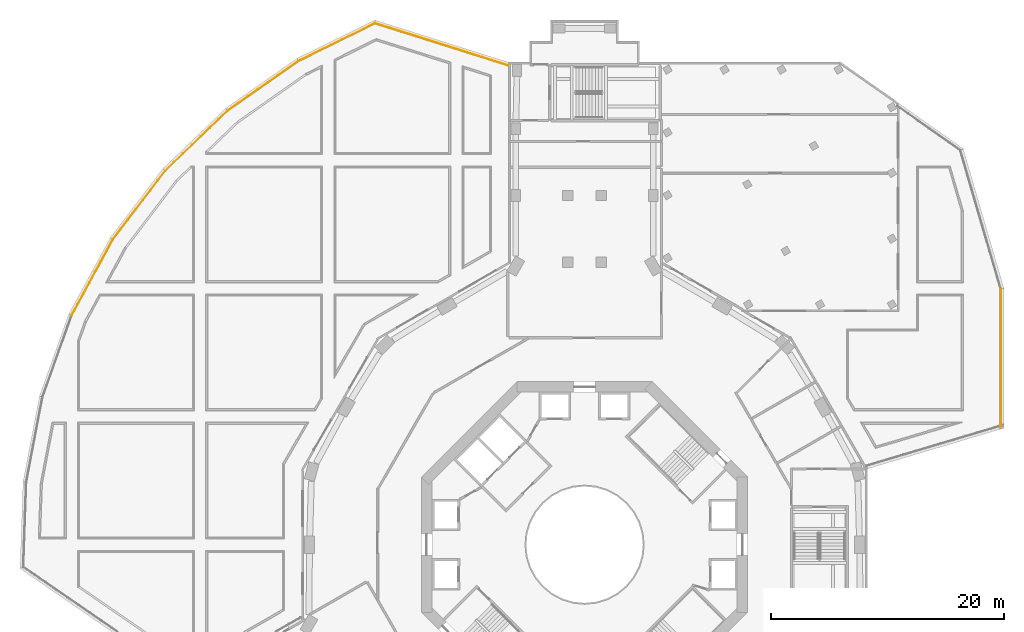
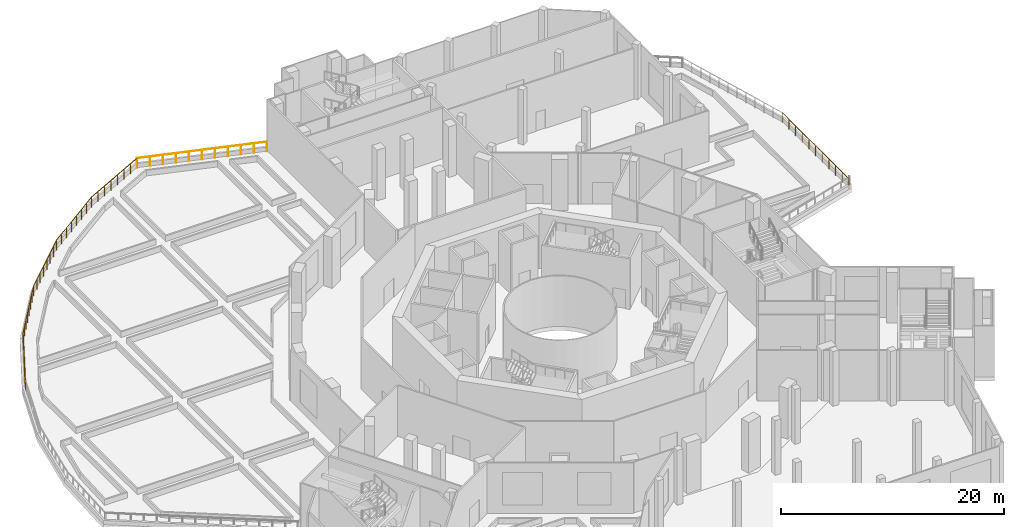
# One storey, part 27 of 29: 7 railings.
"""IFC4 building model written with IfcOpenShell, lengths in metres."""

from ifc_helpers import new_model, si_unit, direction, frame, origin, origin_2d, place, context, subcontext, project, spatial, circle, extrude, material, type_object, element, save


model = new_model("IFC4")

# Units and contexts
model_context = context("Model", 3, precision=1e-05, world=origin(), true_north=direction((0.0, 1.0)))
body_context = subcontext(model_context, "Body", "Model", "MODEL_VIEW")
ifc_project = project(units=[si_unit("LENGTHUNIT", "METRE"), si_unit("AREAUNIT", "SQUARE_METRE"), si_unit("VOLUMEUNIT", "CUBIC_METRE"), si_unit("PLANEANGLEUNIT", "RADIAN"), si_unit("MASSUNIT", "GRAM", prefix="KILO")], contexts=[model_context])

# Site, building, storey
site_placement = place(None, origin())
site = spatial("IfcSite", under=ifc_project, at=site_placement, CompositionType="ELEMENT")
building_placement = place(site_placement, origin())
building = spatial("IfcBuilding", under=site, at=building_placement, Name="Verdalira Terraces Hotel", CompositionType="ELEMENT")
storey_placement = place(building_placement, frame((0.0, 0.0, 8.0)))
storey = spatial("IfcBuildingStorey", under=building, at=storey_placement, Name="L01", CompositionType="ELEMENT", Elevation=8.0)

# Railings
ifc_material = material(Name="Clear laminated glass", Category="glass")
railing_type = type_object("IfcRailingType", Name="Terrace glass guard 1120", PredefinedType="GUARDRAIL", material=ifc_material)
railing_1_placement = place(storey_placement, frame((-6.584473, 41.133057, 0.0)))
element("IfcRailing", 1, at=railing_1_placement, inside=storey, type_object=railing_type, Name="Terrace guard", PredefinedType="GUARDRAIL", context=body_context, shape_type="SweptSolid", body=[
    extrude(circle(Radius=0.023926, at=origin_2d()), frame((0.0, 0.0, 1.096191), z_axis=(-0.95352275, 0.301321034, 0.0), x_axis=(-0.301321034, -0.95352275, 0.0)), (0.0, 0.0, 1.0), 11.950928),
    extrude(circle(Radius=0.020996, at=origin_2d()), origin(), (0.0, 0.0, 1.0), 1.072021),
    extrude(circle(Radius=0.020996, at=origin_2d()), frame((-1.139648, 0.360107, 0.0)), (0.0, 0.0, 1.0), 1.072021),
    extrude(circle(Radius=0.020996, at=origin_2d()), frame((-2.279053, 0.720215, 0.0)), (0.0, 0.0, 1.0), 1.072021),
    extrude(circle(Radius=0.020996, at=origin_2d()), frame((-3.418701, 1.080322, 0.0)), (0.0, 0.0, 1.0), 1.072021),
    extrude(circle(Radius=0.020996, at=origin_2d()), frame((-4.558105, 1.44043, 0.0)), (0.0, 0.0, 1.0), 1.072021),
    extrude(circle(Radius=0.020996, at=origin_2d()), frame((-5.697754, 1.800537, 0.0)), (0.0, 0.0, 1.0), 1.072021),
    extrude(circle(Radius=0.020996, at=origin_2d()), frame((-6.837402, 2.160645, 0.0)), (0.0, 0.0, 1.0), 1.072021),
    extrude(circle(Radius=0.020996, at=origin_2d()), frame((-7.976807, 2.520752, 0.0)), (0.0, 0.0, 1.0), 1.072021),
    extrude(circle(Radius=0.020996, at=origin_2d()), frame((-9.116455, 2.880859, 0.0)), (0.0, 0.0, 1.0), 1.072021),
    extrude(circle(Radius=0.020996, at=origin_2d()), frame((-10.255859, 3.240967, 0.0)), (0.0, 0.0, 1.0), 1.072021),
    extrude(circle(Radius=0.020996, at=origin_2d()), frame((-11.395508, 3.601074, 0.0)), (0.0, 0.0, 1.0), 1.072021),
])
railing_2_placement = place(storey_placement, frame((-17.97998, 44.734131, 0.0)))
element("IfcRailing", 2, at=railing_2_placement, inside=storey, type_object=railing_type, Name="Terrace guard", PredefinedType="GUARDRAIL", context=body_context, shape_type="SweptSolid", body=[
    extrude(circle(Radius=0.023926, at=origin_2d()), frame((0.0, 0.0, 1.096191), z_axis=(-0.897226494, -0.441570627, 0.0), x_axis=(0.441570627, -0.897226494, 0.0)), (0.0, 0.0, 1.0), 7.331787),
    extrude(circle(Radius=0.020996, at=origin_2d()), origin(), (0.0, 0.0, 1.0), 1.072021),
    extrude(circle(Radius=0.020996, at=origin_2d()), frame((-0.939697, -0.462402, 0.0)), (0.0, 0.0, 1.0), 1.072021),
    extrude(circle(Radius=0.020996, at=origin_2d()), frame((-1.879639, -0.925049, 0.0)), (0.0, 0.0, 1.0), 1.072021),
    extrude(circle(Radius=0.020996, at=origin_2d()), frame((-2.819336, -1.387451, 0.0)), (0.0, 0.0, 1.0), 1.072021),
    extrude(circle(Radius=0.020996, at=origin_2d()), frame((-3.759033, -1.850098, 0.0)), (0.0, 0.0, 1.0), 1.072021),
    extrude(circle(Radius=0.020996, at=origin_2d()), frame((-4.69873, -2.3125, 0.0)), (0.0, 0.0, 1.0), 1.072021),
    extrude(circle(Radius=0.020996, at=origin_2d()), frame((-5.638672, -2.775146, 0.0)), (0.0, 0.0, 1.0), 1.072021),
    extrude(circle(Radius=0.020996, at=origin_2d()), frame((-6.578369, -3.237549, 0.0)), (0.0, 0.0, 1.0), 1.072021),
])
railing_3_placement = place(storey_placement, frame((-24.55835, 41.496582, 0.0)))
element("IfcRailing", 3, at=railing_3_placement, inside=storey, type_object=railing_type, Name="Terrace guard", PredefinedType="GUARDRAIL", context=body_context, shape_type="SweptSolid", body=[
    extrude(circle(Radius=0.023926, at=origin_2d()), frame((0.0, 0.0, 1.096191), z_axis=(-0.81883769, -0.57402512, 0.0), x_axis=(0.57402512, -0.81883769, 0.0)), (0.0, 0.0, 1.0), 7.422607),
    extrude(circle(Radius=0.020996, at=origin_2d()), origin(), (0.0, 0.0, 1.0), 1.072021),
    extrude(circle(Radius=0.020996, at=origin_2d()), frame((-0.868164, -0.608643, 0.0)), (0.0, 0.0, 1.0), 1.072021),
    extrude(circle(Radius=0.020996, at=origin_2d()), frame((-1.736572, -1.217285, 0.0)), (0.0, 0.0, 1.0), 1.072021),
    extrude(circle(Radius=0.020996, at=origin_2d()), frame((-2.604736, -1.825928, 0.0)), (0.0, 0.0, 1.0), 1.072021),
    extrude(circle(Radius=0.020996, at=origin_2d()), frame((-3.473145, -2.434814, 0.0)), (0.0, 0.0, 1.0), 1.072021),
    extrude(circle(Radius=0.020996, at=origin_2d()), frame((-4.341309, -3.043457, 0.0)), (0.0, 0.0, 1.0), 1.072021),
    extrude(circle(Radius=0.020996, at=origin_2d()), frame((-5.209717, -3.6521, 0.0)), (0.0, 0.0, 1.0), 1.072021),
    extrude(circle(Radius=0.020996, at=origin_2d()), frame((-6.077881, -4.260742, 0.0)), (0.0, 0.0, 1.0), 1.072021),
])
railing_4_placement = place(storey_placement, frame((-30.63623, 37.23584, 0.0)))
element("IfcRailing", 4, at=railing_4_placement, inside=storey, type_object=railing_type, Name="Terrace guard", PredefinedType="GUARDRAIL", context=body_context, shape_type="SweptSolid", body=[
    extrude(circle(Radius=0.023926, at=origin_2d()), frame((0.0, 0.0, 1.096191), z_axis=(-0.721028341, -0.692905572, 0.0), x_axis=(0.692905572, -0.721028341, 0.0)), (0.0, 0.0, 1.0), 7.422363),
    extrude(circle(Radius=0.020996, at=origin_2d()), origin(), (0.0, 0.0, 1.0), 1.072021),
    extrude(circle(Radius=0.020996, at=origin_2d()), frame((-0.764648, -0.734619, 0.0)), (0.0, 0.0, 1.0), 1.072021),
    extrude(circle(Radius=0.020996, at=origin_2d()), frame((-1.529053, -1.469482, 0.0)), (0.0, 0.0, 1.0), 1.072021),
    extrude(circle(Radius=0.020996, at=origin_2d()), frame((-2.293701, -2.204102, 0.0)), (0.0, 0.0, 1.0), 1.072021),
    extrude(circle(Radius=0.020996, at=origin_2d()), frame((-3.058105, -2.938965, 0.0)), (0.0, 0.0, 1.0), 1.072021),
    extrude(circle(Radius=0.020996, at=origin_2d()), frame((-3.822754, -3.673584, 0.0)), (0.0, 0.0, 1.0), 1.072021),
    extrude(circle(Radius=0.020996, at=origin_2d()), frame((-4.587158, -4.408447, 0.0)), (0.0, 0.0, 1.0), 1.072021),
    extrude(circle(Radius=0.020996, at=origin_2d()), frame((-5.351807, -5.143066, 0.0)), (0.0, 0.0, 1.0), 1.072021),
])
railing_5_placement = place(storey_placement, frame((-35.988037, 32.092773, 0.0)))
element("IfcRailing", 5, at=railing_5_placement, inside=storey, type_object=railing_type, Name="Terrace guard", PredefinedType="GUARDRAIL", context=body_context, shape_type="SweptSolid", body=[
    extrude(circle(Radius=0.023926, at=origin_2d()), frame((0.0, 0.0, 1.096191), z_axis=(-0.606155191, -0.795346393, 0.0), x_axis=(0.795346393, -0.606155191, 0.0)), (0.0, 0.0, 1.0), 7.422607),
    extrude(circle(Radius=0.020996, at=origin_2d()), origin(), (0.0, 0.0, 1.0), 1.072021),
    extrude(circle(Radius=0.020996, at=origin_2d()), frame((-0.642822, -0.843262, 0.0)), (0.0, 0.0, 1.0), 1.072021),
    extrude(circle(Radius=0.020996, at=origin_2d()), frame((-1.2854, -1.686768, 0.0)), (0.0, 0.0, 1.0), 1.072021),
    extrude(circle(Radius=0.020996, at=origin_2d()), frame((-1.928223, -2.530029, 0.0)), (0.0, 0.0, 1.0), 1.072021),
    extrude(circle(Radius=0.020996, at=origin_2d()), frame((-2.571045, -3.373535, 0.0)), (0.0, 0.0, 1.0), 1.072021),
    extrude(circle(Radius=0.020996, at=origin_2d()), frame((-3.213867, -4.216797, 0.0)), (0.0, 0.0, 1.0), 1.072021),
    extrude(circle(Radius=0.020996, at=origin_2d()), frame((-3.856445, -5.060303, 0.0)), (0.0, 0.0, 1.0), 1.072021),
    extrude(circle(Radius=0.020996, at=origin_2d()), frame((-4.499268, -5.903564, 0.0)), (0.0, 0.0, 1.0), 1.072021),
])
railing_6_placement = place(storey_placement, frame((-40.487305, 26.189209, 0.0)))
element("IfcRailing", 6, at=railing_6_placement, inside=storey, type_object=railing_type, Name="Terrace guard", PredefinedType="GUARDRAIL", context=body_context, shape_type="SweptSolid", body=[
    extrude(circle(Radius=0.023926, at=origin_2d()), frame((0.0, 0.0, 1.096191), z_axis=(-0.476880632, -0.878968067, 0.0), x_axis=(0.878968067, -0.476880632, 0.0)), (0.0, 0.0, 1.0), 7.422852),
    extrude(circle(Radius=0.020996, at=origin_2d()), origin(), (0.0, 0.0, 1.0), 1.072021),
    extrude(circle(Radius=0.020996, at=origin_2d()), frame((-0.505615, -0.932129, 0.0)), (0.0, 0.0, 1.0), 1.072021),
    extrude(circle(Radius=0.020996, at=origin_2d()), frame((-1.011475, -1.864014, 0.0)), (0.0, 0.0, 1.0), 1.072021),
    extrude(circle(Radius=0.020996, at=origin_2d()), frame((-1.51709, -2.796143, 0.0)), (0.0, 0.0, 1.0), 1.072021),
    extrude(circle(Radius=0.020996, at=origin_2d()), frame((-2.022705, -3.728271, 0.0)), (0.0, 0.0, 1.0), 1.072021),
    extrude(circle(Radius=0.020996, at=origin_2d()), frame((-2.52832, -4.6604, 0.0)), (0.0, 0.0, 1.0), 1.072021),
    extrude(circle(Radius=0.020996, at=origin_2d()), frame((-3.03418, -5.592285, 0.0)), (0.0, 0.0, 1.0), 1.072021),
    extrude(circle(Radius=0.020996, at=origin_2d()), frame((-3.539795, -6.524414, 0.0)), (0.0, 0.0, 1.0), 1.072021),
])
railing_7_placement = place(storey_placement, frame((35.719971, 10.0, 0.0)))
element("IfcRailing", 7, at=railing_7_placement, inside=storey, type_object=railing_type, Name="Terrace guard", PredefinedType="GUARDRAIL", context=body_context, shape_type="SweptSolid", body=[
    extrude(circle(Radius=0.023926, at=origin_2d()), frame((0.0, 0.0, 1.096191), z_axis=(0.0, 1.0, 0.0), x_axis=(-1.0, 0.0, 0.0)), (0.0, 0.0, 1.0), 11.959961),
    extrude(circle(Radius=0.020996, at=origin_2d()), origin(), (0.0, 0.0, 1.0), 1.072021),
    extrude(circle(Radius=0.020996, at=origin_2d()), frame((0.0, 1.196045, 0.0)), (0.0, 0.0, 1.0), 1.072021),
    extrude(circle(Radius=0.020996, at=origin_2d()), frame((0.0, 2.39209, 0.0)), (0.0, 0.0, 1.0), 1.072021),
    extrude(circle(Radius=0.020996, at=origin_2d()), frame((0.0, 3.587891, 0.0)), (0.0, 0.0, 1.0), 1.072021),
    extrude(circle(Radius=0.020996, at=origin_2d()), frame((0.0, 4.783936, 0.0)), (0.0, 0.0, 1.0), 1.072021),
    extrude(circle(Radius=0.020996, at=origin_2d()), frame((0.0, 5.97998, 0.0)), (0.0, 0.0, 1.0), 1.072021),
    extrude(circle(Radius=0.020996, at=origin_2d()), frame((0.0, 7.176025, 0.0)), (0.0, 0.0, 1.0), 1.072021),
    extrude(circle(Radius=0.020996, at=origin_2d()), frame((0.0, 8.37207, 0.0)), (0.0, 0.0, 1.0), 1.072021),
    extrude(circle(Radius=0.020996, at=origin_2d()), frame((0.0, 9.567871, 0.0)), (0.0, 0.0, 1.0), 1.072021),
    extrude(circle(Radius=0.020996, at=origin_2d()), frame((0.0, 10.763916, 0.0)), (0.0, 0.0, 1.0), 1.072021),
    extrude(circle(Radius=0.020996, at=origin_2d()), frame((0.0, 11.959961, 0.0)), (0.0, 0.0, 1.0), 1.072021),
])

save(model, "model.ifc")
